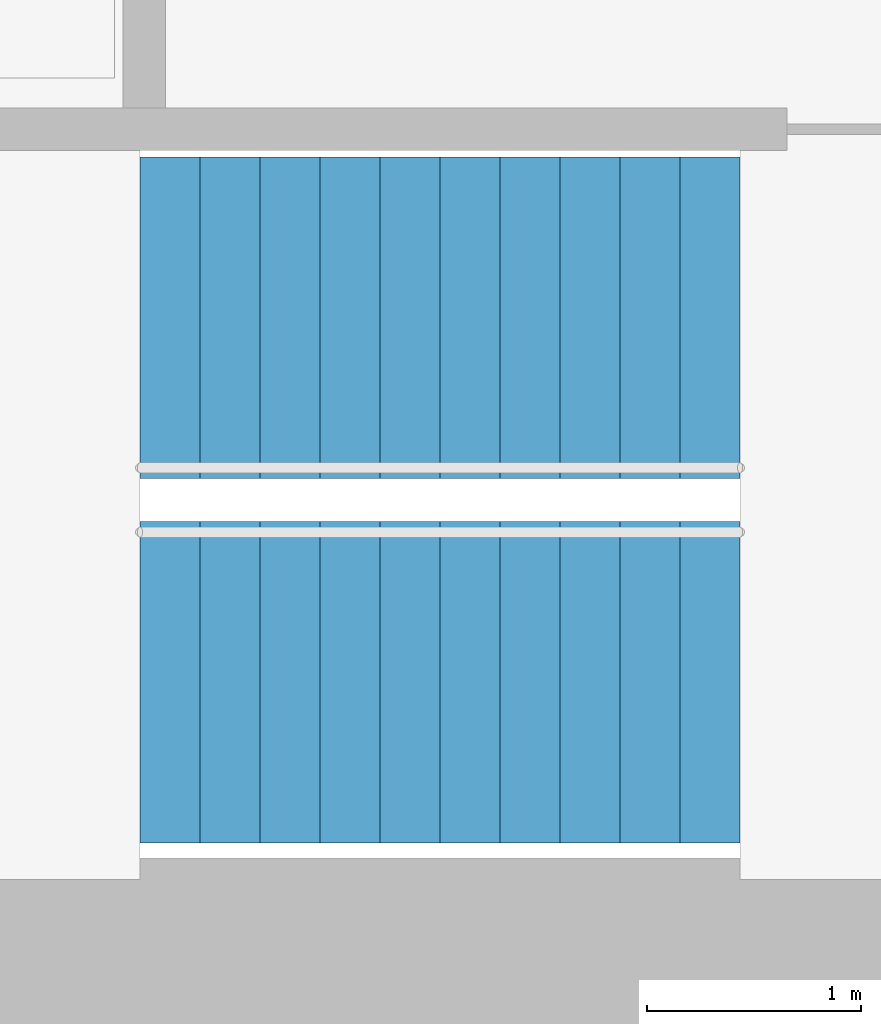
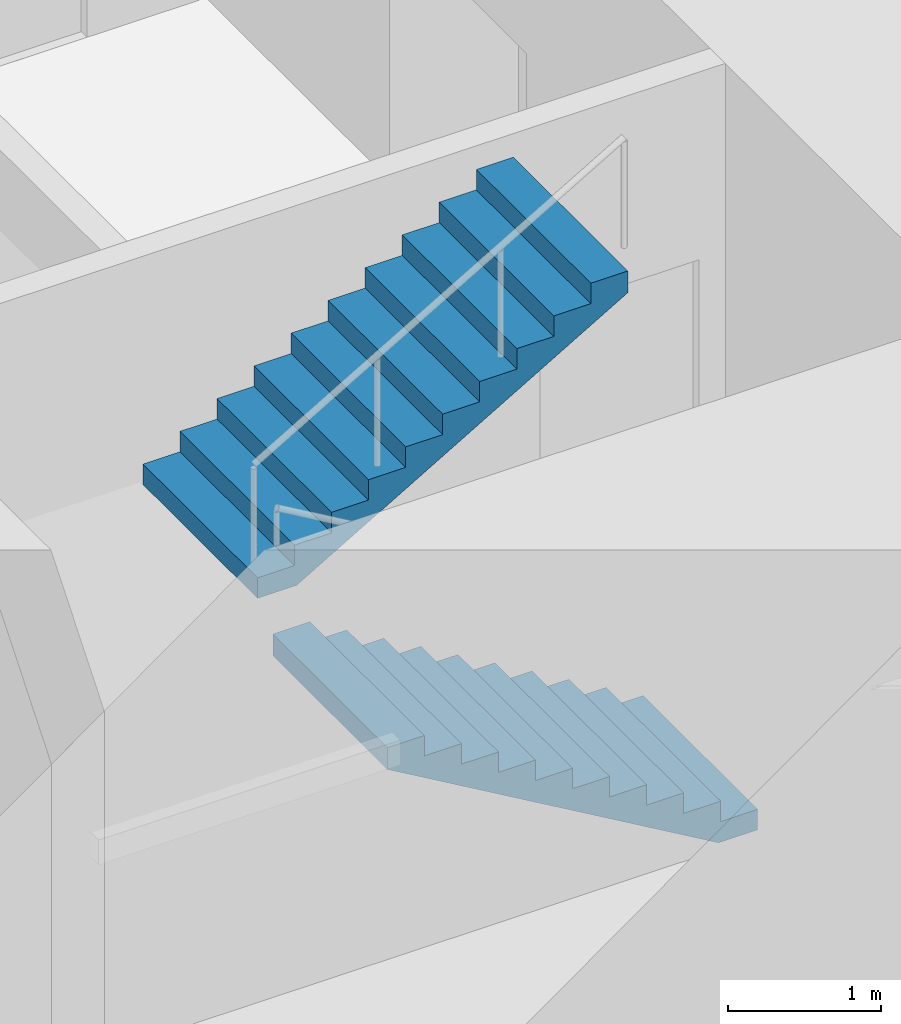
# One storey, part 14 of 15: 2 stair flights, 1 element without a shape of its own.
"""IFC4 building model written with IfcOpenShell, lengths in metres."""

from ifc_helpers import new_model, si_unit, direction, frame, origin, place, context, subcontext, project, spatial, triangles, material, type_object, element, aggregate, save


model = new_model("IFC4")

# Units and contexts
model_context = context("Model", 3, precision=1e-05, world=origin(), true_north=direction((0.0, 1.0)))
body_context = subcontext(model_context, "Body", "Model", "MODEL_VIEW")
ifc_project = project(units=[si_unit("LENGTHUNIT", "METRE"), si_unit("AREAUNIT", "SQUARE_METRE"), si_unit("VOLUMEUNIT", "CUBIC_METRE"), si_unit("PLANEANGLEUNIT", "RADIAN"), si_unit("MASSUNIT", "GRAM", prefix="KILO")], contexts=[model_context])

# Site, building, storey
site_placement = place(None, origin())
site = spatial("IfcSite", under=ifc_project, at=site_placement, CompositionType="ELEMENT")
building_placement = place(site_placement, origin())
building = spatial("IfcBuilding", under=site, at=building_placement, Name="Lantaw Convention Tower", CompositionType="ELEMENT")
storey_placement = place(building_placement, frame((0.0, 0.0, 76.60009765625)))
storey = spatial("IfcBuildingStorey", under=building, at=storey_placement, Name="L17", CompositionType="ELEMENT", Elevation=76.60009765625)

# Stair, stair flights
ifc_material = material(Name="Concrete C35/45", Category="concrete")
stair_type = type_object("IfcStairType", Name="Exit stair 1500 riser 163.64 in 2 flights", PredefinedType="HALF_TURN_STAIR", material=ifc_material)
stair_placement = place(storey_placement, origin())
stair = element("IfcStair", 1, at=stair_placement, inside=storey, type_object=stair_type, Name="Exit stair S2 L17", PredefinedType="HALF_TURN_STAIR")
stair_flight_type = type_object("IfcStairFlightType", Name="Stair flight 1500 riser 163.64", PredefinedType="STRAIGHT", material=ifc_material)
stair_flight_1_placement = place(storey_placement, frame((10.580078125, -5.97998046875, 0.0), z_axis=(0.0, 0.0, 1.0), x_axis=(-1.0, 0.0, 0.0)))
stair_flight_1 = element("IfcStairFlight", 2, at=stair_flight_1_placement, type_object=stair_flight_type, Name="S2 flight 1", NumberOfRisers=11, NumberOfTreads=10, PredefinedType="STRAIGHT", RiserHeight=0.163636364, TreadLength=0.28, context=body_context, shape_type="Tessellation", body=[
    triangles([(0.0, 0.75, 0.0), (0.0, 0.75, 0.163636364), (0.28, 0.75, 0.0), (0.28, 0.75, 0.163636364), (0.28, 0.75, 0.327272728), (0.2970904571225277, 0.75, 0.0), (0.2970904571225277, 0.75, 0.327272728), (0.56, 0.75, 0.1536484344906131), (0.56, 0.75, 0.327272728), (0.56, 0.75, 0.490909092), (0.8400000000000001, 0.75, 0.3172847984906131), (0.8400000000000001, 0.75, 0.490909092), (0.8400000000000001, 0.75, 0.654545456), (1.12, 0.75, 0.4809211624906131), (1.12, 0.75, 0.654545456), (1.12, 0.75, 0.8181818200000001), (1.4000000000000001, 0.75, 0.6445575264906132), (1.4000000000000001, 0.75, 0.8181818200000001), (1.4000000000000001, 0.75, 0.981818184), (1.6800000000000002, 0.75, 0.8081938904906131), (1.6800000000000002, 0.75, 0.981818184), (1.6800000000000002, 0.75, 1.145454548), (1.9600000000000002, 0.75, 0.9718302544906131), (1.9600000000000002, 0.75, 1.145454548), (1.9600000000000002, 0.75, 1.309090912), (2.24, 0.75, 1.135466618490613), (2.24, 0.75, 1.309090912), (2.24, 0.75, 1.472727276), (2.5200000000000005, 0.75, 1.2991029824906133), (2.5200000000000005, 0.75, 1.472727276), (2.5200000000000005, 0.75, 1.6363636400000001), (2.8000000000000003, 0.75, 1.462739346490613), (2.8000000000000003, 0.75, 1.6363636400000001), (0.0, -0.75, 0.0), (0.0, -0.75, 0.163636364), (0.28, -0.75, 0.0), (0.28, -0.75, 0.163636364), (0.28, -0.75, 0.327272728), (0.2970904571225277, -0.75, 0.0), (0.2970904571225277, -0.75, 0.327272728), (0.56, -0.75, 0.1536484344906131), (0.56, -0.75, 0.327272728), (0.56, -0.75, 0.490909092), (0.8400000000000001, -0.75, 0.3172847984906131), (0.8400000000000001, -0.75, 0.490909092), (0.8400000000000001, -0.75, 0.654545456), (1.12, -0.75, 0.4809211624906131), (1.12, -0.75, 0.654545456), (1.12, -0.75, 0.8181818200000001), (1.4000000000000001, -0.75, 0.6445575264906132), (1.4000000000000001, -0.75, 0.8181818200000001), (1.4000000000000001, -0.75, 0.981818184), (1.6800000000000002, -0.75, 0.8081938904906131), (1.6800000000000002, -0.75, 0.981818184), (1.6800000000000002, -0.75, 1.145454548), (1.9600000000000002, -0.75, 0.9718302544906131), (1.9600000000000002, -0.75, 1.145454548), (1.9600000000000002, -0.75, 1.309090912), (2.24, -0.75, 1.135466618490613), (2.24, -0.75, 1.309090912), (2.24, -0.75, 1.472727276), (2.5200000000000005, -0.75, 1.2991029824906133), (2.5200000000000005, -0.75, 1.472727276), (2.5200000000000005, -0.75, 1.6363636400000001), (2.8000000000000003, -0.75, 1.462739346490613), (2.8000000000000003, -0.75, 1.6363636400000001), (0.0, 0.15000000000000002, 0.163636364), (0.0, 0.15000000000000002, 0.0), (0.0, 0.0, 0.163636364), (0.0, 0.0, 0.0), (0.0, -0.15000000000000002, 0.163636364), (0.0, -0.15000000000000002, 0.0), (0.28, 0.15000000000000002, 0.327272728), (0.28, 0.15000000000000002, 0.163636364), (0.28, 0.0, 0.327272728), (0.28, 0.0, 0.163636364), (0.28, -0.15000000000000002, 0.327272728), (0.28, -0.15000000000000002, 0.163636364), (0.56, 0.15000000000000002, 0.490909092), (0.56, 0.15000000000000002, 0.327272728), (0.56, 0.0, 0.490909092), (0.56, 0.0, 0.327272728), (0.56, -0.15000000000000002, 0.490909092), (0.56, -0.15000000000000002, 0.327272728), (0.8400000000000001, 0.15000000000000002, 0.654545456), (0.8400000000000001, 0.15000000000000002, 0.490909092), (0.8400000000000001, 0.0, 0.654545456), (0.8400000000000001, 0.0, 0.490909092), (0.8400000000000001, -0.15000000000000002, 0.654545456), (0.8400000000000001, -0.15000000000000002, 0.490909092), (1.12, 0.15000000000000002, 0.8181818200000001), (1.12, 0.15000000000000002, 0.654545456), (1.12, 0.0, 0.8181818200000001), (1.12, 0.0, 0.654545456), (1.12, -0.15000000000000002, 0.8181818200000001), (1.12, -0.15000000000000002, 0.654545456), (1.4000000000000001, 0.15000000000000002, 0.981818184), (1.4000000000000001, 0.15000000000000002, 0.8181818200000001), (1.4000000000000001, 0.0, 0.981818184), (1.4000000000000001, 0.0, 0.8181818200000001), (1.4000000000000001, -0.15000000000000002, 0.981818184), (1.4000000000000001, -0.15000000000000002, 0.8181818200000001), (1.6800000000000002, 0.15000000000000002, 1.145454548), (1.6800000000000002, 0.15000000000000002, 0.981818184), (1.6800000000000002, 0.0, 1.145454548), (1.6800000000000002, 0.0, 0.981818184), (1.6800000000000002, -0.15000000000000002, 1.145454548), (1.6800000000000002, -0.15000000000000002, 0.981818184), (1.9600000000000002, 0.15000000000000002, 1.309090912), (1.9600000000000002, 0.15000000000000002, 1.145454548), (1.9600000000000002, 0.0, 1.309090912), (1.9600000000000002, 0.0, 1.145454548), (1.9600000000000002, -0.15000000000000002, 1.309090912), (1.9600000000000002, -0.15000000000000002, 1.145454548), (2.24, 0.15000000000000002, 1.472727276), (2.24, 0.15000000000000002, 1.309090912), (2.24, 0.0, 1.472727276), (2.24, 0.0, 1.309090912), (2.24, -0.15000000000000002, 1.472727276), (2.24, -0.15000000000000002, 1.309090912), (2.5200000000000005, 0.15000000000000002, 1.6363636400000001), (2.5200000000000005, 0.15000000000000002, 1.472727276), (2.5200000000000005, 0.0, 1.6363636400000001), (2.5200000000000005, 0.0, 1.472727276), (2.5200000000000005, -0.15000000000000002, 1.6363636400000001), (2.5200000000000005, -0.15000000000000002, 1.472727276), (0.2970904571225277, 0.15000000000000002, 0.327272728), (0.2970904571225277, 0.0, 0.327272728), (0.2970904571225277, -0.15000000000000002, 0.327272728), (2.8000000000000003, 0.15000000000000002, 1.6363636400000001), (2.8000000000000003, 0.0, 1.6363636400000001), (2.8000000000000003, -0.15000000000000002, 1.6363636400000001), (2.8000000000000003, 0.15000000000000002, 1.462739346490613), (2.8000000000000003, 0.0, 1.462739346490613), (2.8000000000000003, -0.15000000000000002, 1.462739346490613), (2.5200000000000005, 0.15000000000000002, 1.2991029824906133), (2.5200000000000005, 0.0, 1.2991029824906133), (2.5200000000000005, -0.15000000000000002, 1.2991029824906133), (2.24, 0.15000000000000002, 1.135466618490613), (2.24, 0.0, 1.135466618490613), (2.24, -0.15000000000000002, 1.135466618490613), (1.9600000000000002, 0.15000000000000002, 0.9718302544906131), (1.9600000000000002, 0.0, 0.9718302544906131), (1.9600000000000002, -0.15000000000000002, 0.9718302544906131), (1.6800000000000002, 0.15000000000000002, 0.8081938904906131), (1.6800000000000002, 0.0, 0.8081938904906131), (1.6800000000000002, -0.15000000000000002, 0.8081938904906131), (1.4000000000000001, 0.15000000000000002, 0.6445575264906132), (1.4000000000000001, 0.0, 0.6445575264906132), (1.4000000000000001, -0.15000000000000002, 0.6445575264906132), (1.12, 0.15000000000000002, 0.4809211624906131), (1.12, 0.0, 0.4809211624906131), (1.12, -0.15000000000000002, 0.4809211624906131), (0.8400000000000001, 0.15000000000000002, 0.3172847984906131), (0.8400000000000001, 0.0, 0.3172847984906131), (0.8400000000000001, -0.15000000000000002, 0.3172847984906131), (0.56, 0.15000000000000002, 0.1536484344906131), (0.56, 0.0, 0.1536484344906131), (0.56, -0.15000000000000002, 0.1536484344906131), (0.2970904571225277, 0.15000000000000002, 0.0), (0.2970904571225277, 0.0, 0.0), (0.2970904571225277, -0.15000000000000002, 0.0), (0.28, 0.15000000000000002, 0.0), (0.28, 0.0, 0.0), (0.28, -0.15000000000000002, 0.0)], [[1, 4, 3], [1, 2, 4], [3, 4, 6], [4, 7, 6], [4, 5, 7], [6, 9, 8], [6, 7, 9], [8, 9, 11], [9, 12, 11], [9, 10, 12], [11, 12, 14], [12, 15, 14], [12, 13, 15], [14, 15, 17], [15, 18, 17], [15, 16, 18], [17, 18, 20], [18, 21, 20], [18, 19, 21], [20, 21, 23], [21, 24, 23], [21, 22, 24], [23, 24, 26], [24, 27, 26], [24, 25, 27], [26, 27, 29], [27, 30, 29], [27, 28, 30], [29, 30, 32], [30, 33, 32], [30, 31, 33], [34, 36, 37], [34, 37, 35], [36, 39, 37], [37, 39, 40], [37, 40, 38], [39, 41, 42], [39, 42, 40], [41, 44, 42], [42, 44, 45], [42, 45, 43], [44, 47, 45], [45, 47, 48], [45, 48, 46], [47, 50, 48], [48, 50, 51], [48, 51, 49], [50, 53, 51], [51, 53, 54], [51, 54, 52], [53, 56, 54], [54, 56, 57], [54, 57, 55], [56, 59, 57], [57, 59, 60], [57, 60, 58], [59, 62, 60], [60, 62, 63], [60, 63, 61], [62, 65, 63], [63, 65, 66], [63, 66, 64], [1, 67, 2], [1, 68, 67], [68, 69, 67], [68, 70, 69], [70, 71, 69], [70, 72, 71], [72, 35, 71], [72, 34, 35], [4, 73, 5], [4, 74, 73], [74, 75, 73], [74, 76, 75], [76, 77, 75], [76, 78, 77], [78, 38, 77], [78, 37, 38], [9, 79, 10], [9, 80, 79], [80, 81, 79], [80, 82, 81], [82, 83, 81], [82, 84, 83], [84, 43, 83], [84, 42, 43], [12, 85, 13], [12, 86, 85], [86, 87, 85], [86, 88, 87], [88, 89, 87], [88, 90, 89], [90, 46, 89], [90, 45, 46], [15, 91, 16], [15, 92, 91], [92, 93, 91], [92, 94, 93], [94, 95, 93], [94, 96, 95], [96, 49, 95], [96, 48, 49], [18, 97, 19], [18, 98, 97], [98, 99, 97], [98, 100, 99], [100, 101, 99], [100, 102, 101], [102, 52, 101], [102, 51, 52], [21, 103, 22], [21, 104, 103], [104, 105, 103], [104, 106, 105], [106, 107, 105], [106, 108, 107], [108, 55, 107], [108, 54, 55], [24, 109, 25], [24, 110, 109], [110, 111, 109], [110, 112, 111], [112, 113, 111], [112, 114, 113], [114, 58, 113], [114, 57, 58], [27, 115, 28], [27, 116, 115], [116, 117, 115], [116, 118, 117], [118, 119, 117], [118, 120, 119], [120, 61, 119], [120, 60, 61], [30, 121, 31], [30, 122, 121], [122, 123, 121], [122, 124, 123], [124, 125, 123], [124, 126, 125], [126, 64, 125], [126, 63, 64], [2, 74, 4], [2, 67, 74], [67, 76, 74], [67, 69, 76], [69, 78, 76], [69, 71, 78], [71, 37, 78], [71, 35, 37], [5, 127, 7], [5, 73, 127], [73, 128, 127], [73, 75, 128], [75, 129, 128], [75, 77, 129], [77, 40, 129], [77, 38, 40], [7, 80, 9], [7, 127, 80], [127, 82, 80], [127, 128, 82], [128, 84, 82], [128, 129, 84], [129, 42, 84], [129, 40, 42], [10, 86, 12], [10, 79, 86], [79, 88, 86], [79, 81, 88], [81, 90, 88], [81, 83, 90], [83, 45, 90], [83, 43, 45], [13, 92, 15], [13, 85, 92], [85, 94, 92], [85, 87, 94], [87, 96, 94], [87, 89, 96], [89, 48, 96], [89, 46, 48], [16, 98, 18], [16, 91, 98], [91, 100, 98], [91, 93, 100], [93, 102, 100], [93, 95, 102], [95, 51, 102], [95, 49, 51], [19, 104, 21], [19, 97, 104], [97, 106, 104], [97, 99, 106], [99, 108, 106], [99, 101, 108], [101, 54, 108], [101, 52, 54], [22, 110, 24], [22, 103, 110], [103, 112, 110], [103, 105, 112], [105, 114, 112], [105, 107, 114], [107, 57, 114], [107, 55, 57], [25, 116, 27], [25, 109, 116], [109, 118, 116], [109, 111, 118], [111, 120, 118], [111, 113, 120], [113, 60, 120], [113, 58, 60], [28, 122, 30], [28, 115, 122], [115, 124, 122], [115, 117, 124], [117, 126, 124], [117, 119, 126], [119, 63, 126], [119, 61, 63], [31, 130, 33], [31, 121, 130], [121, 131, 130], [121, 123, 131], [123, 132, 131], [123, 125, 132], [125, 66, 132], [125, 64, 66], [33, 133, 32], [33, 130, 133], [130, 134, 133], [130, 131, 134], [131, 135, 134], [131, 132, 135], [132, 65, 135], [132, 66, 65], [32, 136, 29], [32, 133, 136], [133, 137, 136], [133, 134, 137], [134, 138, 137], [134, 135, 138], [135, 62, 138], [135, 65, 62], [29, 139, 26], [29, 136, 139], [136, 140, 139], [136, 137, 140], [137, 141, 140], [137, 138, 141], [138, 59, 141], [138, 62, 59], [26, 142, 23], [26, 139, 142], [139, 143, 142], [139, 140, 143], [140, 144, 143], [140, 141, 144], [141, 56, 144], [141, 59, 56], [23, 145, 20], [23, 142, 145], [142, 146, 145], [142, 143, 146], [143, 147, 146], [143, 144, 147], [144, 53, 147], [144, 56, 53], [20, 148, 17], [20, 145, 148], [145, 149, 148], [145, 146, 149], [146, 150, 149], [146, 147, 150], [147, 50, 150], [147, 53, 50], [17, 151, 14], [17, 148, 151], [148, 152, 151], [148, 149, 152], [149, 153, 152], [149, 150, 153], [150, 47, 153], [150, 50, 47], [14, 154, 11], [14, 151, 154], [151, 155, 154], [151, 152, 155], [152, 156, 155], [152, 153, 156], [153, 44, 156], [153, 47, 44], [11, 157, 8], [11, 154, 157], [154, 158, 157], [154, 155, 158], [155, 159, 158], [155, 156, 159], [156, 41, 159], [156, 44, 41], [8, 160, 6], [8, 157, 160], [157, 161, 160], [157, 158, 161], [158, 162, 161], [158, 159, 162], [159, 39, 162], [159, 41, 39], [6, 163, 3], [6, 160, 163], [160, 164, 163], [160, 161, 164], [161, 165, 164], [161, 162, 165], [162, 36, 165], [162, 39, 36], [3, 68, 1], [3, 163, 68], [163, 70, 68], [163, 164, 70], [164, 72, 70], [164, 165, 72], [165, 34, 72], [165, 36, 34]], closed=True),
])
stair_flight_2_placement = place(storey_placement, frame((7.780029296875, -4.280029296875, 1.7998046875), z_axis=(0.0, 0.0, 1.0), x_axis=(1.0, 0.0, 0.0)))
stair_flight_2 = element("IfcStairFlight", 3, at=stair_flight_2_placement, type_object=stair_flight_type, Name="S2 flight 2", NumberOfRisers=11, NumberOfTreads=10, PredefinedType="STRAIGHT", RiserHeight=0.163636364, TreadLength=0.28, context=body_context, shape_type="Tessellation", body=[
    triangles([(0.0, 0.75, 0.0), (0.0, 0.75, 0.163636364), (0.28, 0.75, 0.0), (0.28, 0.75, 0.163636364), (0.28, 0.75, 0.327272728), (0.2970904571225277, 0.75, 0.0), (0.2970904571225277, 0.75, 0.327272728), (0.56, 0.75, 0.1536484344906131), (0.56, 0.75, 0.327272728), (0.56, 0.75, 0.490909092), (0.8400000000000001, 0.75, 0.3172847984906131), (0.8400000000000001, 0.75, 0.490909092), (0.8400000000000001, 0.75, 0.654545456), (1.12, 0.75, 0.4809211624906131), (1.12, 0.75, 0.654545456), (1.12, 0.75, 0.8181818200000001), (1.4000000000000001, 0.75, 0.6445575264906132), (1.4000000000000001, 0.75, 0.8181818200000001), (1.4000000000000001, 0.75, 0.981818184), (1.6800000000000002, 0.75, 0.8081938904906131), (1.6800000000000002, 0.75, 0.981818184), (1.6800000000000002, 0.75, 1.145454548), (1.9600000000000002, 0.75, 0.9718302544906131), (1.9600000000000002, 0.75, 1.145454548), (1.9600000000000002, 0.75, 1.309090912), (2.24, 0.75, 1.135466618490613), (2.24, 0.75, 1.309090912), (2.24, 0.75, 1.472727276), (2.5200000000000005, 0.75, 1.2991029824906133), (2.5200000000000005, 0.75, 1.472727276), (2.5200000000000005, 0.75, 1.6363636400000001), (2.8000000000000003, 0.75, 1.462739346490613), (2.8000000000000003, 0.75, 1.6363636400000001), (0.0, -0.75, 0.0), (0.0, -0.75, 0.163636364), (0.28, -0.75, 0.0), (0.28, -0.75, 0.163636364), (0.28, -0.75, 0.327272728), (0.2970904571225277, -0.75, 0.0), (0.2970904571225277, -0.75, 0.327272728), (0.56, -0.75, 0.1536484344906131), (0.56, -0.75, 0.327272728), (0.56, -0.75, 0.490909092), (0.8400000000000001, -0.75, 0.3172847984906131), (0.8400000000000001, -0.75, 0.490909092), (0.8400000000000001, -0.75, 0.654545456), (1.12, -0.75, 0.4809211624906131), (1.12, -0.75, 0.654545456), (1.12, -0.75, 0.8181818200000001), (1.4000000000000001, -0.75, 0.6445575264906132), (1.4000000000000001, -0.75, 0.8181818200000001), (1.4000000000000001, -0.75, 0.981818184), (1.6800000000000002, -0.75, 0.8081938904906131), (1.6800000000000002, -0.75, 0.981818184), (1.6800000000000002, -0.75, 1.145454548), (1.9600000000000002, -0.75, 0.9718302544906131), (1.9600000000000002, -0.75, 1.145454548), (1.9600000000000002, -0.75, 1.309090912), (2.24, -0.75, 1.135466618490613), (2.24, -0.75, 1.309090912), (2.24, -0.75, 1.472727276), (2.5200000000000005, -0.75, 1.2991029824906133), (2.5200000000000005, -0.75, 1.472727276), (2.5200000000000005, -0.75, 1.6363636400000001), (2.8000000000000003, -0.75, 1.462739346490613), (2.8000000000000003, -0.75, 1.6363636400000001), (0.0, 0.15000000000000002, 0.163636364), (0.0, 0.15000000000000002, 0.0), (0.0, 0.0, 0.163636364), (0.0, 0.0, 0.0), (0.0, -0.15000000000000002, 0.163636364), (0.0, -0.15000000000000002, 0.0), (0.28, 0.15000000000000002, 0.327272728), (0.28, 0.15000000000000002, 0.163636364), (0.28, 0.0, 0.327272728), (0.28, 0.0, 0.163636364), (0.28, -0.15000000000000002, 0.327272728), (0.28, -0.15000000000000002, 0.163636364), (0.56, 0.15000000000000002, 0.490909092), (0.56, 0.15000000000000002, 0.327272728), (0.56, 0.0, 0.490909092), (0.56, 0.0, 0.327272728), (0.56, -0.15000000000000002, 0.490909092), (0.56, -0.15000000000000002, 0.327272728), (0.8400000000000001, 0.15000000000000002, 0.654545456), (0.8400000000000001, 0.15000000000000002, 0.490909092), (0.8400000000000001, 0.0, 0.654545456), (0.8400000000000001, 0.0, 0.490909092), (0.8400000000000001, -0.15000000000000002, 0.654545456), (0.8400000000000001, -0.15000000000000002, 0.490909092), (1.12, 0.15000000000000002, 0.8181818200000001), (1.12, 0.15000000000000002, 0.654545456), (1.12, 0.0, 0.8181818200000001), (1.12, 0.0, 0.654545456), (1.12, -0.15000000000000002, 0.8181818200000001), (1.12, -0.15000000000000002, 0.654545456), (1.4000000000000001, 0.15000000000000002, 0.981818184), (1.4000000000000001, 0.15000000000000002, 0.8181818200000001), (1.4000000000000001, 0.0, 0.981818184), (1.4000000000000001, 0.0, 0.8181818200000001), (1.4000000000000001, -0.15000000000000002, 0.981818184), (1.4000000000000001, -0.15000000000000002, 0.8181818200000001), (1.6800000000000002, 0.15000000000000002, 1.145454548), (1.6800000000000002, 0.15000000000000002, 0.981818184), (1.6800000000000002, 0.0, 1.145454548), (1.6800000000000002, 0.0, 0.981818184), (1.6800000000000002, -0.15000000000000002, 1.145454548), (1.6800000000000002, -0.15000000000000002, 0.981818184), (1.9600000000000002, 0.15000000000000002, 1.309090912), (1.9600000000000002, 0.15000000000000002, 1.145454548), (1.9600000000000002, 0.0, 1.309090912), (1.9600000000000002, 0.0, 1.145454548), (1.9600000000000002, -0.15000000000000002, 1.309090912), (1.9600000000000002, -0.15000000000000002, 1.145454548), (2.24, 0.15000000000000002, 1.472727276), (2.24, 0.15000000000000002, 1.309090912), (2.24, 0.0, 1.472727276), (2.24, 0.0, 1.309090912), (2.24, -0.15000000000000002, 1.472727276), (2.24, -0.15000000000000002, 1.309090912), (2.5200000000000005, 0.15000000000000002, 1.6363636400000001), (2.5200000000000005, 0.15000000000000002, 1.472727276), (2.5200000000000005, 0.0, 1.6363636400000001), (2.5200000000000005, 0.0, 1.472727276), (2.5200000000000005, -0.15000000000000002, 1.6363636400000001), (2.5200000000000005, -0.15000000000000002, 1.472727276), (0.2970904571225277, 0.15000000000000002, 0.327272728), (0.2970904571225277, 0.0, 0.327272728), (0.2970904571225277, -0.15000000000000002, 0.327272728), (2.8000000000000003, 0.15000000000000002, 1.6363636400000001), (2.8000000000000003, 0.0, 1.6363636400000001), (2.8000000000000003, -0.15000000000000002, 1.6363636400000001), (2.8000000000000003, 0.15000000000000002, 1.462739346490613), (2.8000000000000003, 0.0, 1.462739346490613), (2.8000000000000003, -0.15000000000000002, 1.462739346490613), (2.5200000000000005, 0.15000000000000002, 1.2991029824906133), (2.5200000000000005, 0.0, 1.2991029824906133), (2.5200000000000005, -0.15000000000000002, 1.2991029824906133), (2.24, 0.15000000000000002, 1.135466618490613), (2.24, 0.0, 1.135466618490613), (2.24, -0.15000000000000002, 1.135466618490613), (1.9600000000000002, 0.15000000000000002, 0.9718302544906131), (1.9600000000000002, 0.0, 0.9718302544906131), (1.9600000000000002, -0.15000000000000002, 0.9718302544906131), (1.6800000000000002, 0.15000000000000002, 0.8081938904906131), (1.6800000000000002, 0.0, 0.8081938904906131), (1.6800000000000002, -0.15000000000000002, 0.8081938904906131), (1.4000000000000001, 0.15000000000000002, 0.6445575264906132), (1.4000000000000001, 0.0, 0.6445575264906132), (1.4000000000000001, -0.15000000000000002, 0.6445575264906132), (1.12, 0.15000000000000002, 0.4809211624906131), (1.12, 0.0, 0.4809211624906131), (1.12, -0.15000000000000002, 0.4809211624906131), (0.8400000000000001, 0.15000000000000002, 0.3172847984906131), (0.8400000000000001, 0.0, 0.3172847984906131), (0.8400000000000001, -0.15000000000000002, 0.3172847984906131), (0.56, 0.15000000000000002, 0.1536484344906131), (0.56, 0.0, 0.1536484344906131), (0.56, -0.15000000000000002, 0.1536484344906131), (0.2970904571225277, 0.15000000000000002, 0.0), (0.2970904571225277, 0.0, 0.0), (0.2970904571225277, -0.15000000000000002, 0.0), (0.28, 0.15000000000000002, 0.0), (0.28, 0.0, 0.0), (0.28, -0.15000000000000002, 0.0)], [[1, 4, 3], [1, 2, 4], [3, 4, 6], [4, 7, 6], [4, 5, 7], [6, 9, 8], [6, 7, 9], [8, 9, 11], [9, 12, 11], [9, 10, 12], [11, 12, 14], [12, 15, 14], [12, 13, 15], [14, 15, 17], [15, 18, 17], [15, 16, 18], [17, 18, 20], [18, 21, 20], [18, 19, 21], [20, 21, 23], [21, 24, 23], [21, 22, 24], [23, 24, 26], [24, 27, 26], [24, 25, 27], [26, 27, 29], [27, 30, 29], [27, 28, 30], [29, 30, 32], [30, 33, 32], [30, 31, 33], [34, 36, 37], [34, 37, 35], [36, 39, 37], [37, 39, 40], [37, 40, 38], [39, 41, 42], [39, 42, 40], [41, 44, 42], [42, 44, 45], [42, 45, 43], [44, 47, 45], [45, 47, 48], [45, 48, 46], [47, 50, 48], [48, 50, 51], [48, 51, 49], [50, 53, 51], [51, 53, 54], [51, 54, 52], [53, 56, 54], [54, 56, 57], [54, 57, 55], [56, 59, 57], [57, 59, 60], [57, 60, 58], [59, 62, 60], [60, 62, 63], [60, 63, 61], [62, 65, 63], [63, 65, 66], [63, 66, 64], [1, 67, 2], [1, 68, 67], [68, 69, 67], [68, 70, 69], [70, 71, 69], [70, 72, 71], [72, 35, 71], [72, 34, 35], [4, 73, 5], [4, 74, 73], [74, 75, 73], [74, 76, 75], [76, 77, 75], [76, 78, 77], [78, 38, 77], [78, 37, 38], [9, 79, 10], [9, 80, 79], [80, 81, 79], [80, 82, 81], [82, 83, 81], [82, 84, 83], [84, 43, 83], [84, 42, 43], [12, 85, 13], [12, 86, 85], [86, 87, 85], [86, 88, 87], [88, 89, 87], [88, 90, 89], [90, 46, 89], [90, 45, 46], [15, 91, 16], [15, 92, 91], [92, 93, 91], [92, 94, 93], [94, 95, 93], [94, 96, 95], [96, 49, 95], [96, 48, 49], [18, 97, 19], [18, 98, 97], [98, 99, 97], [98, 100, 99], [100, 101, 99], [100, 102, 101], [102, 52, 101], [102, 51, 52], [21, 103, 22], [21, 104, 103], [104, 105, 103], [104, 106, 105], [106, 107, 105], [106, 108, 107], [108, 55, 107], [108, 54, 55], [24, 109, 25], [24, 110, 109], [110, 111, 109], [110, 112, 111], [112, 113, 111], [112, 114, 113], [114, 58, 113], [114, 57, 58], [27, 115, 28], [27, 116, 115], [116, 117, 115], [116, 118, 117], [118, 119, 117], [118, 120, 119], [120, 61, 119], [120, 60, 61], [30, 121, 31], [30, 122, 121], [122, 123, 121], [122, 124, 123], [124, 125, 123], [124, 126, 125], [126, 64, 125], [126, 63, 64], [2, 74, 4], [2, 67, 74], [67, 76, 74], [67, 69, 76], [69, 78, 76], [69, 71, 78], [71, 37, 78], [71, 35, 37], [5, 127, 7], [5, 73, 127], [73, 128, 127], [73, 75, 128], [75, 129, 128], [75, 77, 129], [77, 40, 129], [77, 38, 40], [7, 80, 9], [7, 127, 80], [127, 82, 80], [127, 128, 82], [128, 84, 82], [128, 129, 84], [129, 42, 84], [129, 40, 42], [10, 86, 12], [10, 79, 86], [79, 88, 86], [79, 81, 88], [81, 90, 88], [81, 83, 90], [83, 45, 90], [83, 43, 45], [13, 92, 15], [13, 85, 92], [85, 94, 92], [85, 87, 94], [87, 96, 94], [87, 89, 96], [89, 48, 96], [89, 46, 48], [16, 98, 18], [16, 91, 98], [91, 100, 98], [91, 93, 100], [93, 102, 100], [93, 95, 102], [95, 51, 102], [95, 49, 51], [19, 104, 21], [19, 97, 104], [97, 106, 104], [97, 99, 106], [99, 108, 106], [99, 101, 108], [101, 54, 108], [101, 52, 54], [22, 110, 24], [22, 103, 110], [103, 112, 110], [103, 105, 112], [105, 114, 112], [105, 107, 114], [107, 57, 114], [107, 55, 57], [25, 116, 27], [25, 109, 116], [109, 118, 116], [109, 111, 118], [111, 120, 118], [111, 113, 120], [113, 60, 120], [113, 58, 60], [28, 122, 30], [28, 115, 122], [115, 124, 122], [115, 117, 124], [117, 126, 124], [117, 119, 126], [119, 63, 126], [119, 61, 63], [31, 130, 33], [31, 121, 130], [121, 131, 130], [121, 123, 131], [123, 132, 131], [123, 125, 132], [125, 66, 132], [125, 64, 66], [33, 133, 32], [33, 130, 133], [130, 134, 133], [130, 131, 134], [131, 135, 134], [131, 132, 135], [132, 65, 135], [132, 66, 65], [32, 136, 29], [32, 133, 136], [133, 137, 136], [133, 134, 137], [134, 138, 137], [134, 135, 138], [135, 62, 138], [135, 65, 62], [29, 139, 26], [29, 136, 139], [136, 140, 139], [136, 137, 140], [137, 141, 140], [137, 138, 141], [138, 59, 141], [138, 62, 59], [26, 142, 23], [26, 139, 142], [139, 143, 142], [139, 140, 143], [140, 144, 143], [140, 141, 144], [141, 56, 144], [141, 59, 56], [23, 145, 20], [23, 142, 145], [142, 146, 145], [142, 143, 146], [143, 147, 146], [143, 144, 147], [144, 53, 147], [144, 56, 53], [20, 148, 17], [20, 145, 148], [145, 149, 148], [145, 146, 149], [146, 150, 149], [146, 147, 150], [147, 50, 150], [147, 53, 50], [17, 151, 14], [17, 148, 151], [148, 152, 151], [148, 149, 152], [149, 153, 152], [149, 150, 153], [150, 47, 153], [150, 50, 47], [14, 154, 11], [14, 151, 154], [151, 155, 154], [151, 152, 155], [152, 156, 155], [152, 153, 156], [153, 44, 156], [153, 47, 44], [11, 157, 8], [11, 154, 157], [154, 158, 157], [154, 155, 158], [155, 159, 158], [155, 156, 159], [156, 41, 159], [156, 44, 41], [8, 160, 6], [8, 157, 160], [157, 161, 160], [157, 158, 161], [158, 162, 161], [158, 159, 162], [159, 39, 162], [159, 41, 39], [6, 163, 3], [6, 160, 163], [160, 164, 163], [160, 161, 164], [161, 165, 164], [161, 162, 165], [162, 36, 165], [162, 39, 36], [3, 68, 1], [3, 163, 68], [163, 70, 68], [163, 164, 70], [164, 72, 70], [164, 165, 72], [165, 34, 72], [165, 36, 34]], closed=True),
])
aggregate(stair, [stair_flight_1, stair_flight_2])

save(model, "model.ifc")
